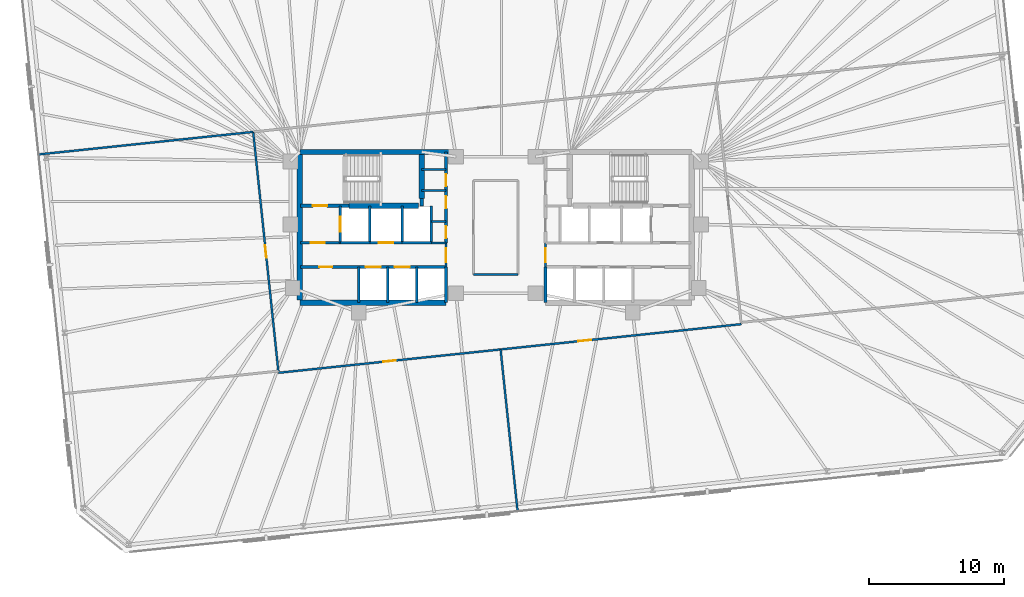
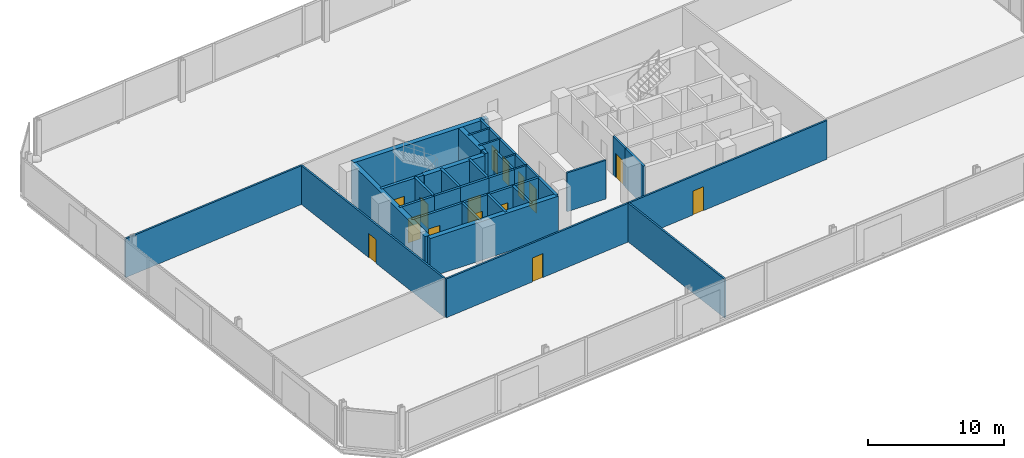
# One storey, part 14 of 17: 34 walls, 15 doors, 15 openings.
"""IFC4 building model written with IfcOpenShell, lengths in metres."""

from ifc_helpers import new_model, si_unit, direction, frame, frame_2d, origin, place, context, subcontext, project, spatial, rectangle, extrude, material, layer, layer_set, type_object, element, fill, save


model = new_model("IFC4")

# Units and contexts
model_context = context("Model", 3, precision=1e-05, world=origin(), true_north=direction((0.0, 1.0)))
body_context = subcontext(model_context, "Body", "Model", "MODEL_VIEW")
ifc_project = project(units=[si_unit("LENGTHUNIT", "METRE"), si_unit("AREAUNIT", "SQUARE_METRE"), si_unit("VOLUMEUNIT", "CUBIC_METRE"), si_unit("PLANEANGLEUNIT", "RADIAN"), si_unit("MASSUNIT", "GRAM", prefix="KILO")], contexts=[model_context])

# Site, building, storey
site_placement = place(None, origin())
site = spatial("IfcSite", under=ifc_project, at=site_placement, CompositionType="ELEMENT")
building_placement = place(site_placement, origin())
building = spatial("IfcBuilding", under=site, at=building_placement, Name="Menara Jurai Vektor", CompositionType="ELEMENT")
storey_placement = place(building_placement, frame((0.0, 0.0, 131.800048828125)))
storey = spatial("IfcBuildingStorey", under=building, at=storey_placement, Name="L33", CompositionType="ELEMENT", Elevation=131.800048828125)

# Wall, opening, door
ifc_material_1 = material(Name="Concrete C40/50", Category="concrete")
ifc_layer_1 = layer(ifc_material_1, 0.25)
ifc_layer_set_1 = layer_set([ifc_layer_1], Name="Concrete C40/50")
wall_type_1 = type_object("IfcWallType", Name="INT-WALL-CORE-250", PredefinedType="STANDARD", material=ifc_layer_set_1)
wall_1_placement = place(storey_placement, frame((-14.5, 1.60009765625, 0.0), z_axis=(0.0, 0.0, 1.0), x_axis=(1.0, 0.0, 0.0)))
wall_1 = element("IfcWall", 1, at=wall_1_placement, inside=storey, type_object=wall_type_1, Name="Interior Wall IW-250 L33", PredefinedType="STANDARD", context=body_context, shape_type="SweptSolid", body=[
    extrude(rectangle(XDim=3.60009765625, YDim=0.25, at=frame_2d((1.800048828125, 0.0))), origin(), (0.0, 0.0, 1.0), 3.474853515625),
])
opening_1_placement = place(wall_1_placement, frame((0.919921875, 0.0, 0.0)))
opening_1 = element("IfcOpeningElement", 2, at=opening_1_placement, cuts=wall_1, Name="Opening D-L33-ST1", PredefinedType="OPENING", context=body_context, shape_type="SweptSolid", body=[
    extrude(rectangle(XDim=1.050048828125, YDim=2.14990234375, at=frame_2d((0.52490234375, 1.074951171875))), frame((0.0, 0.135009765625, 0.0), z_axis=(0.0, -1.0, 0.0), x_axis=(1.0, 0.0, 0.0)), (0.0, 0.0, 1.0), 0.27001953125),
])
ifc_material_2 = material(Name="Fire-Rated Steel Door", Category="steel")
door_type_1 = type_object("IfcDoorType", Name="DR-STAIR-1050", OperationType="NOTDEFINED", PredefinedType="DOOR", material=ifc_material_2)
door_1_placement = place(opening_1_placement, origin())
door_1 = element("IfcDoor", 3, at=door_1_placement, inside=storey, type_object=door_type_1, Name="Exit Stair ST1 Door L33", OperationType="SINGLE_SWING_RIGHT", OverallHeight=2.14990234375, OverallWidth=1.050048828125, PredefinedType="DOOR", context=body_context, shape_type="SweptSolid", body=[
    extrude(rectangle(XDim=1.050048828125, YDim=2.14990234375, at=frame_2d((0.52490234375, 1.074951171875))), frame((0.0, 0.02490234375, 0.0), z_axis=(0.0, -1.0, 0.0), x_axis=(1.0, 0.0, 0.0)), (0.0, 0.0, 1.0), 0.050048828125),
])
fill(opening_1, door_1)

# Wall
wall_2_placement = place(storey_placement, frame((-5.5, 1.60009765625, 0.0), z_axis=(0.0, 0.0, 1.0), x_axis=(0.0, 1.0, 0.0)))
element("IfcWall", 4, at=wall_2_placement, inside=storey, type_object=wall_type_1, Name="Interior Wall IW-250 L33", PredefinedType="STANDARD", context=body_context, shape_type="SweptSolid", body=[
    extrude(rectangle(XDim=0.5498046875, YDim=0.25, at=frame_2d((0.27490234375, 0.0))), origin(), (0.0, 0.0, 1.0), 3.474853515625),
])

# Wall, opening, door
wall_3_placement = place(storey_placement, frame((-11.550048828125, -1.14990234375, 0.0), z_axis=(0.0, 0.0, 1.0), x_axis=(0.0, 1.0, 0.0)))
wall_3 = element("IfcWall", 5, at=wall_3_placement, inside=storey, type_object=wall_type_1, Name="Interior Wall IW-250 L33", PredefinedType="STANDARD", context=body_context, shape_type="SweptSolid", body=[
    extrude(rectangle(XDim=2.75, YDim=0.199951171875, at=frame_2d((1.375, 0.0))), origin(), (0.0, 0.0, 1.0), 3.474853515625),
])
opening_2_placement = place(wall_3_placement, frame((0.824951171875, 0.0, 0.0)))
opening_2 = element("IfcOpeningElement", 6, at=opening_2_placement, cuts=wall_3, Name="Opening LD-L33-FL1", PredefinedType="OPENING", context=body_context, shape_type="SweptSolid", body=[
    extrude(rectangle(XDim=1.10009765625, YDim=2.14990234375, at=frame_2d((0.550048828125, 1.074951171875))), frame((0.0, 0.10986328125, 0.0), z_axis=(0.0, -1.0, 0.0), x_axis=(1.0, 0.0, 0.0)), (0.0, 0.0, 1.0), 0.219970703125),
])
ifc_material_3 = material(Name="Stainless Steel Sliding Lift Landing Door", Category="steel")
door_type_2 = type_object("IfcDoorType", Name="DR-LIFT-FIRE-1100", OperationType="NOTDEFINED", PredefinedType="DOOR", material=ifc_material_3)
door_2_placement = place(opening_2_placement, origin())
door_2 = element("IfcDoor", 7, at=door_2_placement, inside=storey, type_object=door_type_2, Name="Lift Landing Door FL1 L33", OperationType="SLIDING_TO_RIGHT", OverallHeight=2.14990234375, OverallWidth=1.10009765625, PredefinedType="DOOR", context=body_context, shape_type="SweptSolid", body=[
    extrude(rectangle(XDim=1.10009765625, YDim=2.14990234375, at=frame_2d((0.550048828125, 1.074951171875))), frame((0.0, 0.02490234375, 0.0), z_axis=(0.0, -1.0, 0.0), x_axis=(1.0, 0.0, 0.0)), (0.0, 0.0, 1.0), 0.050048828125),
])
fill(opening_2, door_2)

# Wall
wall_4_placement = place(storey_placement, frame((-9.35009765625, -1.14990234375, 0.0), z_axis=(0.0, 0.0, 1.0), x_axis=(0.0, 1.0, 0.0)))
element("IfcWall", 8, at=wall_4_placement, inside=storey, type_object=wall_type_1, Name="Interior Wall IW-250 L33", PredefinedType="STANDARD", context=body_context, shape_type="SweptSolid", body=[
    extrude(rectangle(XDim=2.75, YDim=0.199951171875, at=frame_2d((1.375, 0.0))), origin(), (0.0, 0.0, 1.0), 3.474853515625),
])

# Wall, opening, door
wall_5_placement = place(storey_placement, frame((-14.5, -1.14990234375, 0.0), z_axis=(0.0, 0.0, 1.0), x_axis=(1.0, 0.0, 0.0)))
wall_5 = element("IfcWall", 9, at=wall_5_placement, inside=storey, type_object=wall_type_1, Name="Interior Wall IW-250 L33", PredefinedType="STANDARD", context=body_context, shape_type="SweptSolid", body=[
    extrude(rectangle(XDim=2.949951171875, YDim=0.199951171875, at=frame_2d((1.47509765625, 0.0))), origin(), (0.0, 0.0, 1.0), 3.474853515625),
])
opening_3_placement = place(wall_5_placement, frame((0.75, 0.0, 0.0)))
opening_3 = element("IfcOpeningElement", 10, at=opening_3_placement, cuts=wall_5, Name="Opening D-L33-FFW", PredefinedType="OPENING", context=body_context, shape_type="SweptSolid", body=[
    extrude(rectangle(XDim=1.050048828125, YDim=2.179931640625, at=frame_2d((0.52490234375, 1.08984375))), frame((0.0, 0.10986328125, 0.0), z_axis=(0.0, -1.0, 0.0), x_axis=(1.0, 0.0, 0.0)), (0.0, 0.0, 1.0), 0.219970703125),
])
ifc_material_4 = material(Name="Fire-Rated Timber Door", Category="wood")
door_type_3 = type_object("IfcDoorType", Name="DR-LOBBY-1050", OperationType="NOTDEFINED", PredefinedType="DOOR", material=ifc_material_4)
door_3_placement = place(opening_3_placement, origin())
door_3 = element("IfcDoor", 11, at=door_3_placement, inside=storey, type_object=door_type_3, Name="Fire Lift Lobby Door W L33", OperationType="SINGLE_SWING_RIGHT", OverallHeight=2.179931640625, OverallWidth=1.050048828125, PredefinedType="DOOR", context=body_context, shape_type="SweptSolid", body=[
    extrude(rectangle(XDim=1.050048828125, YDim=2.179931640625, at=frame_2d((0.52490234375, 1.08984375))), frame((0.0, 0.02490234375, 0.0), z_axis=(0.0, -1.0, 0.0), x_axis=(1.0, 0.0, 0.0)), (0.0, 0.0, 1.0), 0.050048828125),
])
fill(opening_3, door_3)

# Wall
wall_6_placement = place(storey_placement, frame((-11.550048828125, -1.14990234375, 0.0), z_axis=(0.0, 0.0, 1.0), x_axis=(1.0, 0.0, 0.0)))
element("IfcWall", 12, at=wall_6_placement, inside=storey, type_object=wall_type_1, Name="Interior Wall IW-250 L33", PredefinedType="STANDARD", context=body_context, shape_type="SweptSolid", body=[
    extrude(rectangle(XDim=2.199951171875, YDim=0.199951171875, at=frame_2d((1.10009765625, 0.0))), origin(), (0.0, 0.0, 1.0), 3.474853515625),
])

# Wall, opening, door
ifc_material_5 = material(Name="Gypsum Fireboard Partition", Category="gypsum")
ifc_layer_2 = layer(ifc_material_5, 0.14990234375)
ifc_layer_set_2 = layer_set([ifc_layer_2], Name="Gypsum Fireboard Partition")
wall_type_2 = type_object("IfcWallType", Name="INT-WALL-CORR-150", PredefinedType="PARTITIONING", material=ifc_layer_set_2)
wall_7_placement = place(storey_placement, frame((-3.699951171875, -2.949951171875, 0.0), z_axis=(0.0, 0.0, 1.0), x_axis=(0.0, 1.0, 0.0)))
wall_7 = element("IfcWall", 13, at=wall_7_placement, inside=storey, type_object=wall_type_2, Name="Interior Wall IW-150 L33", PredefinedType="PARTITIONING", context=body_context, shape_type="SweptSolid", body=[
    extrude(rectangle(XDim=1.800048828125, YDim=0.14990234375, at=frame_2d((0.89990234375, 0.0))), origin(), (0.0, 0.0, 1.0), 3.474853515625),
])
opening_4_placement = place(wall_7_placement, frame((0.35009765625, 0.0, 0.0)))
opening_4 = element("IfcOpeningElement", 14, at=opening_4_placement, cuts=wall_7, Name="Opening D-L33-LLW", PredefinedType="OPENING", context=body_context, shape_type="SweptSolid", body=[
    extrude(rectangle(XDim=1.050048828125, YDim=2.179931640625, at=frame_2d((0.52490234375, 1.08984375))), frame((0.0, 0.0849609375, 0.0), z_axis=(0.0, -1.0, 0.0), x_axis=(1.0, 0.0, 0.0)), (0.0, 0.0, 1.0), 0.169921875),
])
door_4_placement = place(opening_4_placement, origin())
door_4 = element("IfcDoor", 15, at=door_4_placement, inside=storey, type_object=door_type_3, Name="Lift Lobby Corridor Door W L33", OperationType="SINGLE_SWING_LEFT", OverallHeight=2.179931640625, OverallWidth=1.050048828125, PredefinedType="DOOR", context=body_context, shape_type="SweptSolid", body=[
    extrude(rectangle(XDim=1.050048828125, YDim=2.179931640625, at=frame_2d((0.52490234375, 1.08984375))), frame((0.0, 0.02490234375, 0.0), z_axis=(0.0, -1.0, 0.0), x_axis=(1.0, 0.0, 0.0)), (0.0, 0.0, 1.0), 0.050048828125),
])
fill(opening_4, door_4)

# Wall
wall_8_placement = place(storey_placement, frame((-4.7900390625, -1.14990234375, 0.0), z_axis=(0.0, 0.0, 1.0), x_axis=(1.0, 0.0, 0.0)))
element("IfcWall", 16, at=wall_8_placement, inside=storey, type_object=wall_type_2, Name="Interior Wall IW-150 L33", PredefinedType="PARTITIONING", context=body_context, shape_type="SweptSolid", body=[
    extrude(rectangle(XDim=1.090087890625, YDim=0.14990234375, at=frame_2d((0.544921875, 0.0))), origin(), (0.0, 0.0, 1.0), 3.474853515625),
])

# Wall, opening, door
wall_9_placement = place(storey_placement, frame((3.699951171875, -2.949951171875, 0.0), z_axis=(0.0, 0.0, 1.0), x_axis=(0.0, 1.0, 0.0)))
wall_9 = element("IfcWall", 17, at=wall_9_placement, inside=storey, type_object=wall_type_2, Name="Interior Wall IW-150 L33", PredefinedType="PARTITIONING", context=body_context, shape_type="SweptSolid", body=[
    extrude(rectangle(XDim=1.800048828125, YDim=0.14990234375, at=frame_2d((0.89990234375, 0.0))), origin(), (0.0, 0.0, 1.0), 3.474853515625),
])
opening_5_placement = place(wall_9_placement, frame((0.35009765625, 0.0, 0.0)))
opening_5 = element("IfcOpeningElement", 18, at=opening_5_placement, cuts=wall_9, Name="Opening D-L33-LLE", PredefinedType="OPENING", context=body_context, shape_type="SweptSolid", body=[
    extrude(rectangle(XDim=1.050048828125, YDim=2.179931640625, at=frame_2d((0.52490234375, 1.08984375))), frame((0.0, 0.0849609375, 0.0), z_axis=(0.0, -1.0, 0.0), x_axis=(1.0, 0.0, 0.0)), (0.0, 0.0, 1.0), 0.169921875),
])
door_5_placement = place(opening_5_placement, frame((1.050048828125, 0.0, 0.0), z_axis=(0.0, 0.0, 1.0), x_axis=(-1.0, 0.0, 0.0)))
door_5 = element("IfcDoor", 19, at=door_5_placement, inside=storey, type_object=door_type_3, Name="Lift Lobby Corridor Door E L33", OperationType="SINGLE_SWING_RIGHT", OverallHeight=2.179931640625, OverallWidth=1.050048828125, PredefinedType="DOOR", context=body_context, shape_type="SweptSolid", body=[
    extrude(rectangle(XDim=1.050048828125, YDim=2.179931640625, at=frame_2d((0.52490234375, 1.08984375))), frame((0.0, 0.02490234375, 0.0), z_axis=(0.0, -1.0, 0.0), x_axis=(1.0, 0.0, 0.0)), (0.0, 0.0, 1.0), 0.050048828125),
])
fill(opening_5, door_5)

# Walls
wall_10_placement = place(storey_placement, frame((-5.5, 4.300048828125, 0.0), z_axis=(0.0, 0.0, 1.0), x_axis=(1.0, 0.0, 0.0)))
element("IfcWall", 20, at=wall_10_placement, inside=storey, type_object=wall_type_2, Name="Interior Wall IW-150 L33", PredefinedType="PARTITIONING", context=body_context, shape_type="SweptSolid", body=[
    extrude(rectangle(XDim=1.800048828125, YDim=0.14990234375, at=frame_2d((0.89990234375, 0.0))), origin(), (0.0, 0.0, 1.0), 3.474853515625),
])
wall_11_placement = place(storey_placement, frame((-4.7900390625, 0.449951171875, 0.0), z_axis=(0.0, 0.0, 1.0), x_axis=(1.0, 0.0, 0.0)))
element("IfcWall", 21, at=wall_11_placement, inside=storey, type_object=wall_type_2, Name="Interior Wall IW-150 L33", PredefinedType="PARTITIONING", context=body_context, shape_type="SweptSolid", body=[
    extrude(rectangle(XDim=1.090087890625, YDim=0.14990234375, at=frame_2d((0.544921875, 0.0))), origin(), (0.0, 0.0, 1.0), 3.474853515625),
])
wall_12_placement = place(storey_placement, frame((-5.5, 2.75, 0.0), z_axis=(0.0, 0.0, 1.0), x_axis=(1.0, 0.0, 0.0)))
element("IfcWall", 22, at=wall_12_placement, inside=storey, type_object=wall_type_2, Name="Interior Wall IW-150 L33", PredefinedType="PARTITIONING", context=body_context, shape_type="SweptSolid", body=[
    extrude(rectangle(XDim=1.800048828125, YDim=0.14990234375, at=frame_2d((0.89990234375, 0.0))), origin(), (0.0, 0.0, 1.0), 3.474853515625),
])
wall_13_placement = place(storey_placement, frame((-1.649658203125, -3.490478515625, 0.0), z_axis=(0.0, 0.0, 1.0), x_axis=(1.0, 0.0, 0.0)))
element("IfcWall", 23, at=wall_13_placement, inside=storey, type_object=wall_type_2, Name="Interior Wall IW-150 L33", PredefinedType="PARTITIONING", context=body_context, shape_type="SweptSolid", body=[
    extrude(rectangle(XDim=3.300048828125, YDim=0.14990234375, at=frame_2d((1.64990234375, 0.0))), origin(), (0.0, 0.0, 1.0), 3.474853515625),
])

# Wall, opening, door
wall_14_placement = place(storey_placement, frame((-16.139892578125, -10.80908203125, 0.0), z_axis=(0.0, 0.0, 1.0), x_axis=(0.994521566569, 0.104531591539, 0.0)))
wall_14 = element("IfcWall", 24, at=wall_14_placement, inside=storey, type_object=wall_type_2, Name="Interior Wall IW-150 L33", PredefinedType="PARTITIONING", context=body_context, shape_type="SweptSolid", body=[
    extrude(rectangle(XDim=16.591796875, YDim=0.14990234375, at=frame_2d((8.2958984375, 0.0))), origin(), (0.0, 0.0, 1.0), 3.474853515625),
])
opening_6_placement = place(wall_14_placement, frame((7.821044921875, 0.0, 0.0)))
opening_6 = element("IfcOpeningElement", 25, at=opening_6_placement, cuts=wall_14, Name="Opening D33-10", PredefinedType="OPENING", context=body_context, shape_type="SweptSolid", body=[
    extrude(rectangle(XDim=0.949951171875, YDim=2.14990234375, at=frame_2d((0.47509765625, 1.074951171875))), frame((0.0, 0.0849609375, 0.0), z_axis=(0.0, -1.0, 0.0), x_axis=(1.0, 0.0, 0.0)), (0.0, 0.0, 1.0), 0.169921875),
])
ifc_material_6 = material(Name="Solid Core Timber Fire Door", Category="wood")
door_type_4 = type_object("IfcDoorType", Name="DR-ENTRY-950", OperationType="NOTDEFINED", PredefinedType="DOOR", material=ifc_material_6)
door_6_placement = place(opening_6_placement, origin())
door_6 = element("IfcDoor", 26, at=door_6_placement, inside=storey, type_object=door_type_4, Name="Interior Door D33-10", OperationType="SINGLE_SWING_LEFT", OverallHeight=2.14990234375, OverallWidth=0.949951171875, PredefinedType="DOOR", context=body_context, shape_type="SweptSolid", body=[
    extrude(rectangle(XDim=0.949951171875, YDim=2.14990234375, at=frame_2d((0.47509765625, 1.074951171875))), frame((0.0, 0.02490234375, 0.0), z_axis=(0.0, -1.0, 0.0), x_axis=(1.0, 0.0, 0.0)), (0.0, 0.0, 1.0), 0.050048828125),
])
fill(opening_6, door_6)

wall_15_placement = place(storey_placement, frame((0.361083984375, -9.07470703125, 0.0), z_axis=(0.0, 0.0, 1.0), x_axis=(0.994523293042, 0.104515164432, 0.0)))
wall_15 = element("IfcWall", 27, at=wall_15_placement, inside=storey, type_object=wall_type_2, Name="Interior Wall IW-150 L33", PredefinedType="PARTITIONING", context=body_context, shape_type="SweptSolid", body=[
    extrude(rectangle(XDim=17.98193359375, YDim=0.14990234375, at=frame_2d((8.990966796875, 0.0))), origin(), (0.0, 0.0, 1.0), 3.474853515625),
])
opening_7_placement = place(wall_15_placement, frame((5.818603515625, 0.0, 0.0)))
opening_7 = element("IfcOpeningElement", 28, at=opening_7_placement, cuts=wall_15, Name="Opening D33-11", PredefinedType="OPENING", context=body_context, shape_type="SweptSolid", body=[
    extrude(rectangle(XDim=0.949951171875, YDim=2.14990234375, at=frame_2d((0.47509765625, 1.074951171875))), frame((0.0, 0.0849609375, 0.0), z_axis=(0.0, -1.0, 0.0), x_axis=(1.0, 0.0, 0.0)), (0.0, 0.0, 1.0), 0.169921875),
])
door_7_placement = place(opening_7_placement, origin())
door_7 = element("IfcDoor", 29, at=door_7_placement, inside=storey, type_object=door_type_4, Name="Interior Door D33-11", OperationType="SINGLE_SWING_RIGHT", OverallHeight=2.14990234375, OverallWidth=0.949951171875, PredefinedType="DOOR", context=body_context, shape_type="SweptSolid", body=[
    extrude(rectangle(XDim=0.949951171875, YDim=2.14990234375, at=frame_2d((0.47509765625, 1.074951171875))), frame((0.0, 0.02490234375, 0.0), z_axis=(0.0, -1.0, 0.0), x_axis=(1.0, 0.0, 0.0)), (0.0, 0.0, 1.0), 0.050048828125),
])
fill(opening_7, door_7)

wall_16_placement = place(storey_placement, frame((-16.1533203125, -10.681884765625, 0.0), z_axis=(0.0, 0.0, 1.0), x_axis=(-0.104527614588, 0.994521984568, 0.0)))
wall_16 = element("IfcWall", 30, at=wall_16_placement, inside=storey, type_object=wall_type_2, Name="Interior Wall IW-150 L33", PredefinedType="PARTITIONING", context=body_context, shape_type="SweptSolid", body=[
    extrude(rectangle(XDim=17.8701171875, YDim=0.14990234375, at=frame_2d((8.93505859375, 0.0))), origin(), (0.0, 0.0, 1.0), 3.474853515625),
])
opening_8_placement = place(wall_16_placement, frame((8.4599609375, 0.0, 0.0)))
opening_8 = element("IfcOpeningElement", 31, at=opening_8_placement, cuts=wall_16, Name="Opening D33-12", PredefinedType="OPENING", context=body_context, shape_type="SweptSolid", body=[
    extrude(rectangle(XDim=0.949951171875, YDim=2.14990234375, at=frame_2d((0.47509765625, 1.074951171875))), frame((0.0, 0.0849609375, 0.0), z_axis=(0.0, -1.0, 0.0), x_axis=(1.0, 0.0, 0.0)), (0.0, 0.0, 1.0), 0.169921875),
])
door_8_placement = place(opening_8_placement, origin())
door_8 = element("IfcDoor", 32, at=door_8_placement, inside=storey, type_object=door_type_4, Name="Interior Door D33-12", OperationType="SINGLE_SWING_LEFT", OverallHeight=2.14990234375, OverallWidth=0.949951171875, PredefinedType="DOOR", context=body_context, shape_type="SweptSolid", body=[
    extrude(rectangle(XDim=0.949951171875, YDim=2.14990234375, at=frame_2d((0.47509765625, 1.074951171875))), frame((0.0, 0.02490234375, 0.0), z_axis=(0.0, -1.0, 0.0), x_axis=(1.0, 0.0, 0.0)), (0.0, 0.0, 1.0), 0.050048828125),
])
fill(opening_8, door_8)

# Walls
wall_17_placement = place(storey_placement, frame((-33.966552734375, 5.414306640625, 0.0), z_axis=(0.0, 0.0, 1.0), x_axis=(0.994521211213, 0.104534972363, 0.0)))
element("IfcWall", 33, at=wall_17_placement, inside=storey, type_object=wall_type_2, Name="Interior Wall IW-150 L33", PredefinedType="PARTITIONING", context=body_context, shape_type="SweptSolid", body=[
    extrude(rectangle(XDim=16.033203125, YDim=0.14990234375, at=frame_2d((8.0166015625, 0.0))), origin(), (0.0, 0.0, 1.0), 3.474853515625),
])
wall_18_placement = place(storey_placement, frame((1.625, -21.1015625, 0.0), z_axis=(0.0, 0.0, 1.0), x_axis=(-0.104515587229, 0.99452324861, 0.0)))
element("IfcWall", 34, at=wall_18_placement, inside=storey, type_object=wall_type_2, Name="Interior Wall IW-150 L33", PredefinedType="PARTITIONING", context=body_context, shape_type="SweptSolid", body=[
    extrude(rectangle(XDim=12.093017578125, YDim=0.14990234375, at=frame_2d((6.04638671875, 0.0))), origin(), (0.0, 0.0, 1.0), 3.474853515625),
])

# Wall, openings, doors
ifc_layer_3 = layer(ifc_material_1, 0.199951171875)
ifc_layer_set_3 = layer_set([ifc_layer_3], Name="Concrete C40/50")
wall_type_3 = type_object("IfcWallType", Name="INT-WALL-SHAFT-200", PredefinedType="STANDARD", material=ifc_layer_set_3)
wall_19_placement = place(storey_placement, frame((-3.699951171875, -1.14990234375, 0.0), z_axis=(0.0, 0.0, 1.0), x_axis=(0.0, 1.0, 0.0)))
wall_19 = element("IfcWall", 35, at=wall_19_placement, inside=storey, type_object=wall_type_3, Name="Interior Wall IW-200 L33", PredefinedType="STANDARD", context=body_context, shape_type="SweptSolid", body=[
    extrude(rectangle(XDim=6.75, YDim=0.199951171875, at=frame_2d((3.375, 0.0))), origin(), (0.0, 0.0, 1.0), 3.474853515625),
])
opening_9_placement = place(wall_19_placement, frame((0.35009765625, 0.0, 0.0)))
opening_9 = element("IfcOpeningElement", 36, at=opening_9_placement, cuts=wall_19, Name="Opening D33-02", PredefinedType="OPENING", context=body_context, shape_type="SweptSolid", body=[
    extrude(rectangle(XDim=0.8798828125, YDim=2.14990234375, at=frame_2d((0.43994140625, 1.074951171875))), frame((0.0, 0.10986328125, 0.0), z_axis=(0.0, -1.0, 0.0), x_axis=(1.0, 0.0, 0.0)), (0.0, 0.0, 1.0), 0.219970703125),
])
opening_10_placement = place(wall_19_placement, frame((2.550048828125, 0.0, 0.0)))
opening_10 = element("IfcOpeningElement", 37, at=opening_10_placement, cuts=wall_19, Name="Opening D33-03", PredefinedType="OPENING", context=body_context, shape_type="SweptSolid", body=[
    extrude(rectangle(XDim=0.919921875, YDim=2.14990234375, at=frame_2d((0.4599609375, 1.074951171875))), frame((0.0, 0.10986328125, 0.0), z_axis=(0.0, -1.0, 0.0), x_axis=(1.0, 0.0, 0.0)), (0.0, 0.0, 1.0), 0.219970703125),
])
opening_11_placement = place(wall_19_placement, frame((4.219970703125, 0.0, 0.0)))
opening_11 = element("IfcOpeningElement", 38, at=opening_11_placement, cuts=wall_19, Name="Opening D33-04", PredefinedType="OPENING", context=body_context, shape_type="SweptSolid", body=[
    extrude(rectangle(XDim=0.8798828125, YDim=2.14990234375, at=frame_2d((0.43994140625, 1.074951171875))), frame((0.0, 0.10986328125, 0.0), z_axis=(0.0, -1.0, 0.0), x_axis=(1.0, 0.0, 0.0)), (0.0, 0.0, 1.0), 0.219970703125),
])
door_9_placement = place(opening_9_placement, origin())
door_9 = element("IfcDoor", 39, at=door_9_placement, inside=storey, type_object=door_type_4, Name="Interior Door D33-02", OperationType="SINGLE_SWING_LEFT", OverallHeight=2.14990234375, OverallWidth=0.8798828125, PredefinedType="DOOR", context=body_context, shape_type="SweptSolid", body=[
    extrude(rectangle(XDim=0.8798828125, YDim=2.14990234375, at=frame_2d((0.43994140625, 1.074951171875))), frame((0.0, 0.02490234375, 0.0), z_axis=(0.0, -1.0, 0.0), x_axis=(1.0, 0.0, 0.0)), (0.0, 0.0, 1.0), 0.050048828125),
])
fill(opening_9, door_9)
door_10_placement = place(opening_10_placement, origin())
door_10 = element("IfcDoor", 40, at=door_10_placement, inside=storey, type_object=door_type_4, Name="Interior Door D33-03", OperationType="SINGLE_SWING_LEFT", OverallHeight=2.14990234375, OverallWidth=0.919921875, PredefinedType="DOOR", context=body_context, shape_type="SweptSolid", body=[
    extrude(rectangle(XDim=0.919921875, YDim=2.14990234375, at=frame_2d((0.4599609375, 1.074951171875))), frame((0.0, 0.02490234375, 0.0), z_axis=(0.0, -1.0, 0.0), x_axis=(1.0, 0.0, 0.0)), (0.0, 0.0, 1.0), 0.050048828125),
])
fill(opening_10, door_10)
door_11_placement = place(opening_11_placement, origin())
door_11 = element("IfcDoor", 41, at=door_11_placement, inside=storey, type_object=door_type_4, Name="Interior Door D33-04", OperationType="SINGLE_SWING_LEFT", OverallHeight=2.14990234375, OverallWidth=0.8798828125, PredefinedType="DOOR", context=body_context, shape_type="SweptSolid", body=[
    extrude(rectangle(XDim=0.8798828125, YDim=2.14990234375, at=frame_2d((0.43994140625, 1.074951171875))), frame((0.0, 0.02490234375, 0.0), z_axis=(0.0, -1.0, 0.0), x_axis=(1.0, 0.0, 0.0)), (0.0, 0.0, 1.0), 0.050048828125),
])
fill(opening_11, door_11)

# Walls
wall_20_placement = place(storey_placement, frame((-3.699951171875, -5.60009765625, 0.0), z_axis=(0.0, 0.0, 1.0), x_axis=(0.0, 1.0, 0.0)))
element("IfcWall", 42, at=wall_20_placement, inside=storey, type_object=wall_type_3, Name="Interior Wall IW-200 L33", PredefinedType="STANDARD", context=body_context, shape_type="SweptSolid", body=[
    extrude(rectangle(XDim=2.650146484375, YDim=0.199951171875, at=frame_2d((1.3251953125, 0.0))), origin(), (0.0, 0.0, 1.0), 3.474853515625),
])
wall_21_placement = place(storey_placement, frame((-6.949951171875, -1.14990234375, 0.0), z_axis=(0.0, 0.0, 1.0), x_axis=(0.0, 1.0, 0.0)))
element("IfcWall", 43, at=wall_21_placement, inside=storey, type_object=wall_type_3, Name="Interior Wall IW-200 L33", PredefinedType="STANDARD", context=body_context, shape_type="SweptSolid", body=[
    extrude(rectangle(XDim=2.75, YDim=0.199951171875, at=frame_2d((1.375, 0.0))), origin(), (0.0, 0.0, 1.0), 3.474853515625),
])

# Wall, opening, door
wall_22_placement = place(storey_placement, frame((-9.35009765625, -1.14990234375, 0.0), z_axis=(0.0, 0.0, 1.0), x_axis=(1.0, 0.0, 0.0)))
wall_22 = element("IfcWall", 44, at=wall_22_placement, inside=storey, type_object=wall_type_3, Name="Interior Wall IW-200 L33", PredefinedType="STANDARD", context=body_context, shape_type="SweptSolid", body=[
    extrude(rectangle(XDim=2.400146484375, YDim=0.199951171875, at=frame_2d((1.2001953125, 0.0))), origin(), (0.0, 0.0, 1.0), 3.474853515625),
])
opening_12_placement = place(wall_22_placement, frame((0.64990234375, 0.0, 0.0)))
opening_12 = element("IfcOpeningElement", 45, at=opening_12_placement, cuts=wall_22, Name="Opening LD-L33-SVL1", PredefinedType="OPENING", context=body_context, shape_type="SweptSolid", body=[
    extrude(rectangle(XDim=1.10009765625, YDim=2.14990234375, at=frame_2d((0.550048828125, 1.074951171875))), frame((0.0, 0.10986328125, 0.0), z_axis=(0.0, -1.0, 0.0), x_axis=(1.0, 0.0, 0.0)), (0.0, 0.0, 1.0), 0.219970703125),
])
ifc_material_7 = material(Name="Anodised Stainless Sliding Lift Landing Door", Category="steel")
door_type_5 = type_object("IfcDoorType", Name="DR-LIFT-PASS-1100", OperationType="NOTDEFINED", PredefinedType="DOOR", material=ifc_material_7)
door_12_placement = place(opening_12_placement, origin())
door_12 = element("IfcDoor", 46, at=door_12_placement, inside=storey, type_object=door_type_5, Name="Lift Landing Door SVL1 L33", OperationType="SLIDING_TO_RIGHT", OverallHeight=2.14990234375, OverallWidth=1.10009765625, PredefinedType="DOOR", context=body_context, shape_type="SweptSolid", body=[
    extrude(rectangle(XDim=1.10009765625, YDim=2.14990234375, at=frame_2d((0.550048828125, 1.074951171875))), frame((0.0, 0.02490234375, 0.0), z_axis=(0.0, -1.0, 0.0), x_axis=(1.0, 0.0, 0.0)), (0.0, 0.0, 1.0), 0.050048828125),
])
fill(opening_12, door_12)

# Walls
wall_23_placement = place(storey_placement, frame((-4.7900390625, -1.14990234375, 0.0), z_axis=(0.0, 0.0, 1.0), x_axis=(0.0, 1.0, 0.0)))
element("IfcWall", 47, at=wall_23_placement, inside=storey, type_object=wall_type_3, Name="Interior Wall IW-200 L33", PredefinedType="STANDARD", context=body_context, shape_type="SweptSolid", body=[
    extrude(rectangle(XDim=2.75, YDim=0.199951171875, at=frame_2d((1.375, 0.0))), origin(), (0.0, 0.0, 1.0), 3.474853515625),
])
wall_24_placement = place(storey_placement, frame((-6.949951171875, -1.14990234375, 0.0), z_axis=(0.0, 0.0, 1.0), x_axis=(1.0, 0.0, 0.0)))
element("IfcWall", 48, at=wall_24_placement, inside=storey, type_object=wall_type_3, Name="Interior Wall IW-200 L33", PredefinedType="STANDARD", context=body_context, shape_type="SweptSolid", body=[
    extrude(rectangle(XDim=2.159912109375, YDim=0.199951171875, at=frame_2d((1.080078125, 0.0))), origin(), (0.0, 0.0, 1.0), 3.474853515625),
])

# Wall, openings, doors
wall_25_placement = place(storey_placement, frame((-14.5, -2.949951171875, 0.0), z_axis=(0.0, 0.0, 1.0), x_axis=(1.0, 0.0, 0.0)))
wall_25 = element("IfcWall", 49, at=wall_25_placement, inside=storey, type_object=wall_type_3, Name="Interior Wall IW-200 L33", PredefinedType="STANDARD", context=body_context, shape_type="SweptSolid", body=[
    extrude(rectangle(XDim=10.800048828125, YDim=0.199951171875, at=frame_2d((5.39990234375, 0.0))), origin(), (0.0, 0.0, 1.0), 3.474853515625),
])
opening_13_placement = place(wall_25_placement, frame((4.85009765625, 0.0, 0.0)))
opening_13 = element("IfcOpeningElement", 50, at=opening_13_placement, cuts=wall_25, Name="Opening LD-L33-PM1", PredefinedType="OPENING", context=body_context, shape_type="SweptSolid", body=[
    extrude(rectangle(XDim=1.10009765625, YDim=2.14990234375, at=frame_2d((0.550048828125, 1.074951171875))), frame((0.0, 0.10986328125, 0.0), z_axis=(0.0, -1.0, 0.0), x_axis=(1.0, 0.0, 0.0)), (0.0, 0.0, 1.0), 0.219970703125),
])
opening_14_placement = place(wall_25_placement, frame((7.010009765625, 0.0, 0.0)))
opening_14 = element("IfcOpeningElement", 51, at=opening_14_placement, cuts=wall_25, Name="Opening LD-L33-PM2", PredefinedType="OPENING", context=body_context, shape_type="SweptSolid", body=[
    extrude(rectangle(XDim=1.10009765625, YDim=2.14990234375, at=frame_2d((0.550048828125, 1.074951171875))), frame((0.0, 0.10986328125, 0.0), z_axis=(0.0, -1.0, 0.0), x_axis=(1.0, 0.0, 0.0)), (0.0, 0.0, 1.0), 0.219970703125),
])
opening_15_placement = place(wall_25_placement, frame((1.39990234375, 0.0, 0.0)))
opening_15 = element("IfcOpeningElement", 52, at=opening_15_placement, cuts=wall_25, Name="Opening D33-01", PredefinedType="OPENING", context=body_context, shape_type="SweptSolid", body=[
    extrude(rectangle(XDim=0.949951171875, YDim=2.14990234375, at=frame_2d((0.47509765625, 1.074951171875))), frame((0.0, 0.10986328125, 0.0), z_axis=(0.0, -1.0, 0.0), x_axis=(1.0, 0.0, 0.0)), (0.0, 0.0, 1.0), 0.219970703125),
])
door_13_placement = place(opening_15_placement, origin())
door_13 = element("IfcDoor", 53, at=door_13_placement, inside=storey, type_object=door_type_4, Name="Interior Door D33-01", OperationType="SINGLE_SWING_LEFT", OverallHeight=2.14990234375, OverallWidth=0.949951171875, PredefinedType="DOOR", context=body_context, shape_type="SweptSolid", body=[
    extrude(rectangle(XDim=0.949951171875, YDim=2.14990234375, at=frame_2d((0.47509765625, 1.074951171875))), frame((0.0, 0.02490234375, 0.0), z_axis=(0.0, -1.0, 0.0), x_axis=(1.0, 0.0, 0.0)), (0.0, 0.0, 1.0), 0.050048828125),
])
fill(opening_15, door_13)
door_14_placement = place(opening_13_placement, origin())
door_14 = element("IfcDoor", 54, at=door_14_placement, inside=storey, type_object=door_type_5, Name="Lift Landing Door PM1 L33", OperationType="SLIDING_TO_LEFT", OverallHeight=2.14990234375, OverallWidth=1.10009765625, PredefinedType="DOOR", context=body_context, shape_type="SweptSolid", body=[
    extrude(rectangle(XDim=1.10009765625, YDim=2.14990234375, at=frame_2d((0.550048828125, 1.074951171875))), frame((0.0, 0.02490234375, 0.0), z_axis=(0.0, -1.0, 0.0), x_axis=(1.0, 0.0, 0.0)), (0.0, 0.0, 1.0), 0.050048828125),
])
fill(opening_13, door_14)
door_15_placement = place(opening_14_placement, origin())
door_15 = element("IfcDoor", 55, at=door_15_placement, inside=storey, type_object=door_type_5, Name="Lift Landing Door PM2 L33", OperationType="SLIDING_TO_LEFT", OverallHeight=2.14990234375, OverallWidth=1.10009765625, PredefinedType="DOOR", context=body_context, shape_type="SweptSolid", body=[
    extrude(rectangle(XDim=1.10009765625, YDim=2.14990234375, at=frame_2d((0.550048828125, 1.074951171875))), frame((0.0, 0.02490234375, 0.0), z_axis=(0.0, -1.0, 0.0), x_axis=(1.0, 0.0, 0.0)), (0.0, 0.0, 1.0), 0.050048828125),
])
fill(opening_14, door_15)

# Walls
wall_26_placement = place(storey_placement, frame((-5.860107421875, -5.60009765625, 0.0), z_axis=(0.0, 0.0, 1.0), x_axis=(0.0, 1.0, 0.0)))
element("IfcWall", 56, at=wall_26_placement, inside=storey, type_object=wall_type_3, Name="Interior Wall IW-200 L33", PredefinedType="STANDARD", context=body_context, shape_type="SweptSolid", body=[
    extrude(rectangle(XDim=2.650146484375, YDim=0.199951171875, at=frame_2d((1.3251953125, 0.0))), origin(), (0.0, 0.0, 1.0), 3.474853515625),
])
for number, where, z_axis, x_axis, name in (
    (57, (-10.179931640625, -5.60009765625, 0.0), (0.0, 0.0, 1.0), (0.0, 1.0, 0.0), "Interior Wall IW-200 L33"),
    (58, (-8.02001953125, -5.60009765625, 0.0), (0.0, 0.0, 1.0), (0.0, 1.0, 0.0), "Interior Wall IW-200 L33"),
):
    element("IfcWall", number, at=place(storey_placement, frame(where, z_axis=z_axis, x_axis=x_axis)), inside=storey, type_object=wall_type_3, Name=name, PredefinedType="STANDARD", context=body_context, shape_type="SweptSolid", body=[
        extrude(rectangle(XDim=2.650146484375, YDim=0.179931640625, at=frame_2d((1.3251953125, 0.0))), origin(), (0.0, 0.0, 1.0), 3.474853515625),
    ])
wall_27_placement = place(storey_placement, frame((3.699951171875, -5.60009765625, 0.0), z_axis=(0.0, 0.0, 1.0), x_axis=(0.0, 1.0, 0.0)))
element("IfcWall", 59, at=wall_27_placement, inside=storey, type_object=wall_type_3, Name="Interior Wall IW-200 L33", PredefinedType="STANDARD", context=body_context, shape_type="SweptSolid", body=[
    extrude(rectangle(XDim=2.650146484375, YDim=0.199951171875, at=frame_2d((1.3251953125, 0.0))), origin(), (0.0, 0.0, 1.0), 3.474853515625),
])
ifc_material_8 = material(Name="Concrete C50/60", Category="concrete")
ifc_layer_4 = layer(ifc_material_8, 0.39990234375)
ifc_layer_set_4 = layer_set([ifc_layer_4], Name="Concrete C50/60")
wall_type_4 = type_object("IfcWallType", Name="STR-WALL-CORE400", PredefinedType="SHEAR", material=ifc_layer_set_4)
wall_28_placement = place(storey_placement, frame((-14.56005859375, 5.60009765625, 0.0), z_axis=(0.0, 0.0, 1.0), x_axis=(1.0, 0.0, 0.0)))
element("IfcWall", 60, at=wall_28_placement, inside=storey, type_object=wall_type_4, Name="Core Shear Wall CW-W-N L33", PredefinedType="SHEAR", context=body_context, shape_type="SweptSolid", body=[
    extrude(rectangle(XDim=11.41015625, YDim=0.39990234375, at=frame_2d((5.705078125, 0.0))), origin(), (0.0, 0.0, 1.0), 3.474853515625),
])
wall_29_placement = place(storey_placement, frame((-14.56005859375, -5.60009765625, 0.0), z_axis=(0.0, 0.0, 1.0), x_axis=(1.0, 0.0, 0.0)))
element("IfcWall", 61, at=wall_29_placement, inside=storey, type_object=wall_type_4, Name="Core Shear Wall CW-W-S L33", PredefinedType="SHEAR", context=body_context, shape_type="SweptSolid", body=[
    extrude(rectangle(XDim=10.860107421875, YDim=0.39990234375, at=frame_2d((5.43017578125, 0.0))), origin(), (0.0, 0.0, 1.0), 3.474853515625),
])
wall_30_placement = place(storey_placement, frame((-14.56005859375, -5.39990234375, 0.0), z_axis=(0.0, 0.0, 1.0), x_axis=(0.0, 1.0, 0.0)))
element("IfcWall", 62, at=wall_30_placement, inside=storey, type_object=wall_type_4, Name="Core Shear Wall CW-W-W L33", PredefinedType="SHEAR", context=body_context, shape_type="SweptSolid", body=[
    extrude(rectangle(XDim=10.7998046875, YDim=0.39990234375, at=frame_2d((5.39990234375, 0.0))), origin(), (0.0, 0.0, 1.0), 3.474853515625),
])
wall_31_placement = place(storey_placement, frame((-5.5, 2.14990234375, 0.0), z_axis=(0.0, 0.0, 1.0), x_axis=(0.0, 1.0, 0.0)))
element("IfcWall", 63, at=wall_31_placement, inside=storey, type_object=wall_type_4, Name="Core Shear Wall CW-W-ST L33", PredefinedType="SHEAR", context=body_context, shape_type="SweptSolid", body=[
    extrude(rectangle(XDim=3.25, YDim=0.39990234375, at=frame_2d((1.625, 0.0))), origin(), (0.0, 0.0, 1.0), 3.474853515625),
])
wall_32_placement = place(storey_placement, frame((-10.89990234375, 1.60009765625, 0.0), z_axis=(0.0, 0.0, 1.0), x_axis=(1.0, 0.0, 0.0)))
element("IfcWall", 64, at=wall_32_placement, inside=storey, type_object=wall_type_4, Name="Core Shear Wall CW-W-STS L33", PredefinedType="SHEAR", context=body_context, shape_type="SweptSolid", body=[
    extrude(rectangle(XDim=5.14990234375, YDim=0.39990234375, at=frame_2d((2.574951171875, 0.0))), origin(), (0.0, 0.0, 1.0), 3.474853515625),
])

save(model, "model.ifc")
